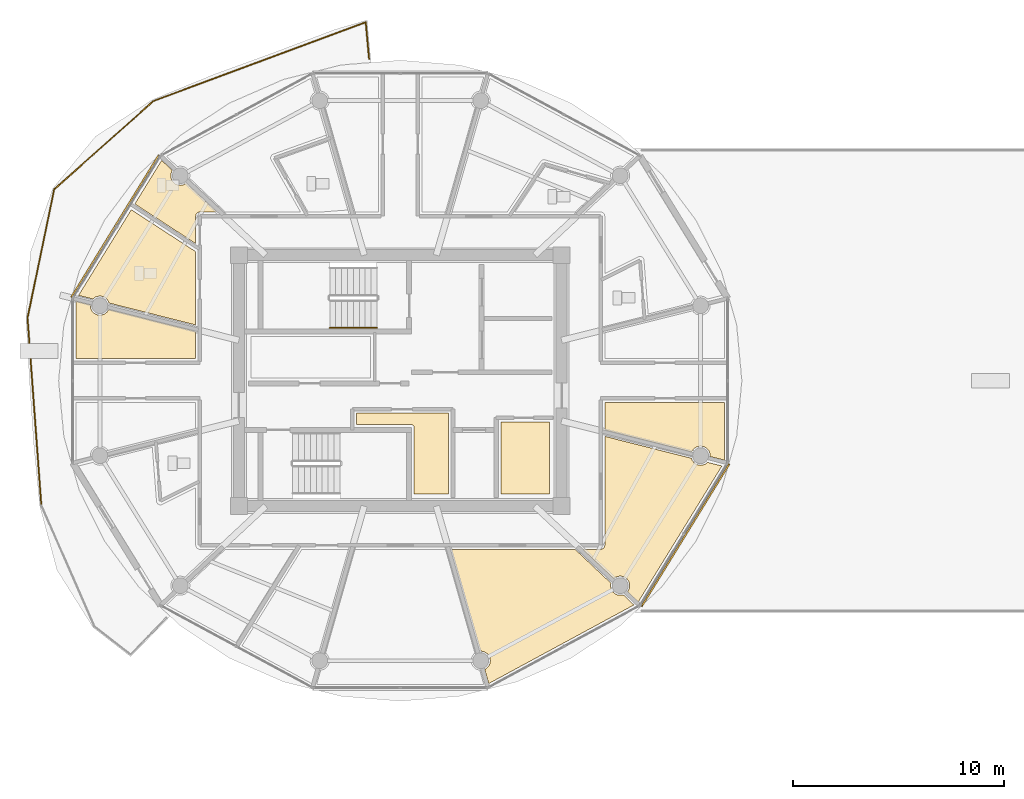
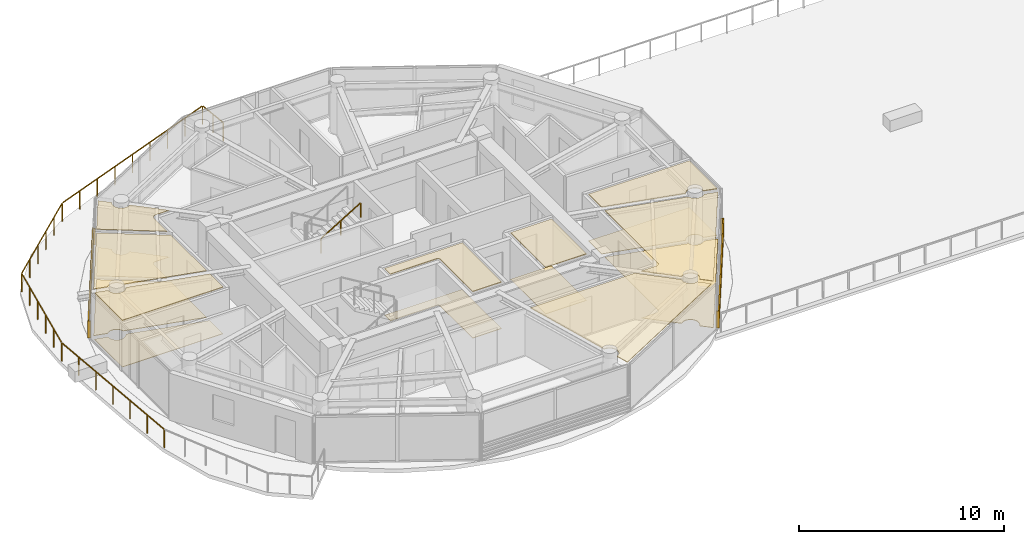
# One storey, part 22 of 30: 15 coverings, 2 railings, 2 shading devices.
"""IFC4 building model written with IfcOpenShell, lengths in metres."""

from ifc_helpers import new_model, si_unit, direction, frame, origin, origin_2d, place, context, subcontext, project, spatial, polyline, rectangle, outline, extrude, source, transform, mapped, material, layer, layer_set, type_object, type_shapes, element, save


model = new_model("IFC4")

# Units and contexts
model_context = context("Model", 3, precision=1e-05, world=origin(), true_north=direction((0.0, 1.0)))
body_context = subcontext(model_context, "Body", "Model", "MODEL_VIEW")
ifc_project = project(units=[si_unit("LENGTHUNIT", "METRE"), si_unit("AREAUNIT", "SQUARE_METRE"), si_unit("VOLUMEUNIT", "CUBIC_METRE"), si_unit("PLANEANGLEUNIT", "RADIAN"), si_unit("MASSUNIT", "GRAM", prefix="KILO")], contexts=[model_context])

# Site, building, storey
site_placement = place(None, origin())
site = spatial("IfcSite", under=ifc_project, at=site_placement, CompositionType="ELEMENT")
building_placement = place(site_placement, origin())
building = spatial("IfcBuilding", under=site, at=building_placement, Name="Norrkilde Senior Care Towers", CompositionType="ELEMENT")
storey_placement = place(building_placement, frame((0.0, 0.0, 232.199951171875)))
storey = spatial("IfcBuildingStorey", under=building, at=storey_placement, Name="L72", CompositionType="ELEMENT", Elevation=232.199951171875)

# Coverings
ifc_material_1 = material(Name="Nordic Ash Timber", Category="wood")
ifc_layer_1 = layer(ifc_material_1, 0.044921875)
ifc_layer_set_1 = layer_set([ifc_layer_1], Name="Nordic Ash Timber")
covering_type_1 = type_object("IfcCoveringType", Name="Acoustic Ash Timber Slatted Ceiling 45", PredefinedType="CEILING", material=ifc_layer_set_1)
covering_1_placement = place(storey_placement, frame((0.0, 0.0, 2.76513671875)))
element("IfcCovering", 1, at=covering_1_placement, inside=storey, type_object=covering_type_1, Name="L72 Suspended Ceiling 0422", PredefinedType="CEILING", context=body_context, shape_type="SweptSolid", body=[
    extrude(outline(polyline([(-27.34521484375, -2.175048828125), (-27.34912109375, -2.1640625), (-27.354248046875, -2.1533203125), (-27.360107421875, -2.143310546875), (-27.3671875, -2.1337890625), (-27.375244140625, -2.125244140625), (-27.3837890625, -2.1171875), (-27.393310546875, -2.110107421875), (-27.4033203125, -2.104248046875), (-27.4140625, -2.09912109375), (-27.425048828125, -2.09521484375), (-27.4365234375, -2.09228515625), (-27.4482421875, -2.090576171875), (-27.4599609375, -2.090087890625), (-30.080078125, -2.090087890625), (-30.080078125, -1.5400390625), (-25.7099609375, -1.5400390625), (-25.7099609375, -5.3798828125), (-27.340087890625, -5.3798828125), (-27.340087890625, -2.2099609375), (-27.340576171875, -2.1982421875), (-27.34228515625, -2.1865234375), (-27.34521484375, -2.175048828125)])), origin(), (0.0, 0.0, 1.0), 0.044921875),
])
covering_2_placement = place(storey_placement, frame((0.0, 0.0, 2.76513671875)))
element("IfcCovering", 2, at=covering_2_placement, inside=storey, type_object=covering_type_1, Name="L72 Suspended Ceiling 0423", PredefinedType="CEILING", context=body_context, shape_type="SweptSolid", body=[
    extrude(outline(polyline([(-23.22998046875, -5.3798828125), (-23.22998046875, -1.969970703125), (-20.919921875, -1.969970703125), (-20.919921875, -5.3798828125), (-23.22998046875, -5.3798828125)])), origin(), (0.0, 0.0, 1.0), 0.044921875),
])
covering_3_placement = place(storey_placement, frame((0.0, 0.0, 2.76513671875)))
element("IfcCovering", 3, at=covering_3_placement, inside=storey, type_object=covering_type_1, Name="L72 Suspended Ceiling 0425", PredefinedType="CEILING", context=body_context, shape_type="SweptSolid", body=[
    extrude(outline(polyline([(-37.699951171875, 1.0400390625), (-43.37353515625, 1.0400390625), (-43.37353515625, 3.76708984375), (-42.697509765625, 3.59619140625), (-42.702392578125, 3.558837890625), (-42.68701171875, 3.44091796875), (-42.641357421875, 3.331298828125), (-42.569091796875, 3.237060546875), (-42.474853515625, 3.164794921875), (-42.365234375, 3.119384765625), (-42.247314453125, 3.103759765625), (-42.129638671875, 3.119384765625), (-42.02001953125, 3.164794921875), (-41.92578125, 3.237060546875), (-41.853271484375, 3.331298828125), (-41.834228515625, 3.377685546875), (-37.699951171875, 2.331298828125), (-37.699951171875, 1.0400390625)])), origin(), (0.0, 0.0, 1.0), 0.044921875),
])
covering_4_placement = place(storey_placement, frame((0.0, 0.0, 2.76513671875)))
element("IfcCovering", 4, at=covering_4_placement, inside=storey, type_object=covering_type_1, Name="L72 Suspended Ceiling 0428", PredefinedType="CEILING", context=body_context, shape_type="SweptSolid", body=[
    extrude(outline(polyline([(-12.62646484375, -3.76708984375), (-13.302490234375, -3.59619140625), (-13.297607421875, -3.558837890625), (-13.31298828125, -3.44091796875), (-13.358642578125, -3.331298828125), (-13.430908203125, -3.237060546875), (-13.525146484375, -3.164794921875), (-13.634765625, -3.119384765625), (-13.752685546875, -3.103759765625), (-13.870361328125, -3.119384765625), (-13.97998046875, -3.164794921875), (-14.07421875, -3.237060546875), (-14.146728515625, -3.331298828125), (-14.165771484375, -3.377685546875), (-18.300048828125, -2.331298828125), (-18.300048828125, -1.0400390625), (-12.62646484375, -1.0400390625), (-12.62646484375, -3.76708984375)])), origin(), (0.0, 0.0, 1.0), 0.044921875),
])
covering_5_placement = place(storey_placement, frame((0.0, 0.0, 2.76513671875)))
element("IfcCovering", 5, at=covering_5_placement, inside=storey, type_object=covering_type_1, Name="L72 Suspended Ceiling 0441", PredefinedType="CEILING", context=body_context, shape_type="SweptSolid", body=[
    extrude(outline(polyline([(-23.80029296875, -14.364990234375), (-23.991455078125, -13.690673828125), (-23.954833984375, -13.675537109375), (-23.860595703125, -13.603271484375), (-23.788330078125, -13.509033203125), (-23.742919921875, -13.399169921875), (-23.7275390625, -13.281494140625), (-23.742919921875, -13.163818359375), (-23.788330078125, -13.053955078125), (-23.860595703125, -12.959716796875), (-23.954833984375, -12.887451171875), (-24.064697265625, -12.842041015625), (-24.182373046875, -12.826416015625), (-24.23486328125, -12.833251953125), (-25.60595703125, -8.0), (-19.705322265625, -8.0), (-18.0087890625, -9.6025390625), (-18.009765625, -9.60498046875), (-18.025146484375, -9.72265625), (-18.009765625, -9.840576171875), (-17.964111328125, -9.9501953125), (-17.891845703125, -10.04443359375), (-17.797607421875, -10.11669921875), (-17.68798828125, -10.162109375), (-17.570068359375, -10.177734375), (-17.452392578125, -10.162109375), (-17.42724609375, -10.15185546875), (-16.91357421875, -10.636962890625), (-23.80029296875, -14.364990234375)])), origin(), (0.0, 0.0, 1.0), 0.044921875),
])
covering_6_placement = place(storey_placement, frame((0.0, 0.0, 2.76513671875)))
element("IfcCovering", 6, at=covering_6_placement, inside=storey, type_object=covering_type_1, Name="L72 Suspended Ceiling 0442", PredefinedType="CEILING", context=body_context, shape_type="SweptSolid", body=[
    extrude(outline(polyline([(-18.447509765625, -7.992919921875), (-18.436279296875, -7.989501953125), (-18.428955078125, -7.98681640625), (-18.41796875, -7.982421875), (-18.410888671875, -7.97900390625), (-18.400634765625, -7.973388671875), (-18.393798828125, -7.969482421875), (-18.384033203125, -7.962890625), (-18.377685546875, -7.958251953125), (-18.36865234375, -7.95068359375), (-18.36279296875, -7.945556640625), (-18.3544921875, -7.937255859375), (-18.34912109375, -7.931396484375), (-18.341796875, -7.92236328125), (-18.337158203125, -7.916015625), (-18.33056640625, -7.90625), (-18.326416015625, -7.8994140625), (-18.321044921875, -7.888916015625), (-18.317626953125, -7.8818359375), (-18.31298828125, -7.87109375), (-18.310546875, -7.86376953125), (-18.30712890625, -7.852294921875), (-18.30517578125, -7.8447265625), (-18.302734375, -7.833251953125), (-18.3017578125, -7.825439453125), (-18.300537109375, -7.813720703125), (-18.300048828125, -7.805908203125), (-18.300048828125, -7.800048828125), (-18.300048828125, -2.640625), (-14.190185546875, -3.680908203125), (-14.146728515625, -3.786376953125), (-14.07421875, -3.880615234375), (-13.97998046875, -3.952880859375), (-13.870361328125, -3.998291015625), (-13.752685546875, -4.013671875), (-13.634765625, -3.998291015625), (-13.525146484375, -3.952880859375), (-13.430908203125, -3.880615234375), (-13.426025390625, -3.874267578125), (-12.74267578125, -4.04736328125), (-16.71337890625, -10.495849609375), (-17.224365234375, -10.01318359375), (-17.176025390625, -9.9501953125), (-17.130615234375, -9.840576171875), (-17.115234375, -9.72265625), (-17.130615234375, -9.60498046875), (-17.176025390625, -9.4951171875), (-17.24853515625, -9.40087890625), (-17.3427734375, -9.32861328125), (-17.452392578125, -9.283203125), (-17.570068359375, -9.267822265625), (-17.68798828125, -9.283203125), (-17.797607421875, -9.32861328125), (-17.88134765625, -9.392822265625), (-19.355712890625, -8.0), (-18.5, -8.0), (-18.494140625, -7.999755859375), (-18.486328125, -7.99951171875), (-18.474609375, -7.998291015625), (-18.466796875, -7.9970703125), (-18.455322265625, -7.994873046875), (-18.447509765625, -7.992919921875)])), origin(), (0.0, 0.0, 1.0), 0.044921875),
])
ifc_material_2 = material(Name="Gypsum Acoustic Board")
ifc_layer_2 = layer(ifc_material_2, 0.030029296875)
ifc_layer_set_2 = layer_set([ifc_layer_2], Name="Gypsum Acoustic Board")
covering_type_2 = type_object("IfcCoveringType", Name="Medical Cleanable Gypsum Ceiling 30", PredefinedType="CEILING", material=ifc_layer_set_2)
covering_7_placement = place(storey_placement, frame((0.0, 0.0, 2.780029296875)))
element("IfcCovering", 7, at=covering_7_placement, inside=storey, type_object=covering_type_2, Name="L72 Suspended Ceiling 0435", PredefinedType="CEILING", context=body_context, shape_type="SweptSolid", body=[
    extrude(outline(polyline([(-37.525390625, 7.998291015625), (-37.533203125, 7.9970703125), (-37.544677734375, 7.994873046875), (-37.552490234375, 7.992919921875), (-37.563720703125, 7.989501953125), (-37.571044921875, 7.98681640625), (-37.58203125, 7.982421875), (-37.589111328125, 7.97900390625), (-37.599365234375, 7.973388671875), (-37.606201171875, 7.969482421875), (-37.615966796875, 7.962890625), (-37.622314453125, 7.958251953125), (-37.63134765625, 7.95068359375), (-37.63720703125, 7.945556640625), (-37.6455078125, 7.937255859375), (-37.65087890625, 7.931396484375), (-37.658203125, 7.92236328125), (-37.662841796875, 7.916015625), (-37.66943359375, 7.90625), (-37.673583984375, 7.8994140625), (-37.678955078125, 7.888916015625), (-37.682373046875, 7.8818359375), (-37.68701171875, 7.87109375), (-37.689453125, 7.86376953125), (-37.69287109375, 7.852294921875), (-37.69482421875, 7.8447265625), (-37.697265625, 7.833251953125), (-37.6982421875, 7.825439453125), (-37.699462890625, 7.813720703125), (-37.699951171875, 7.805908203125), (-37.699951171875, 7.800048828125), (-37.699951171875, 6.499755859375), (-40.5888671875, 8.380859375), (-39.31591796875, 10.448486328125), (-38.807373046875, 9.9716796875), (-38.823974609375, 9.9501953125), (-38.869384765625, 9.840576171875), (-38.884765625, 9.72265625), (-38.869384765625, 9.60498046875), (-38.823974609375, 9.4951171875), (-38.75146484375, 9.40087890625), (-38.6572265625, 9.32861328125), (-38.547607421875, 9.283203125), (-38.429931640625, 9.267822265625), (-38.31201171875, 9.283203125), (-38.202392578125, 9.32861328125), (-38.158203125, 9.362548828125), (-36.705322265625, 8.0), (-37.5, 8.0), (-37.505859375, 7.999755859375), (-37.513671875, 7.99951171875), (-37.525390625, 7.998291015625)])), origin(), (0.0, 0.0, 1.0), 0.030029296875),
])
covering_8_placement = place(storey_placement, frame((0.0, 0.0, 2.780029296875)))
element("IfcCovering", 8, at=covering_8_placement, inside=storey, type_object=covering_type_2, Name="L72 Suspended Ceiling 0436", PredefinedType="CEILING", context=body_context, shape_type="SweptSolid", body=[
    extrude(outline(polyline([(-40.7568359375, 8.108154296875), (-37.699951171875, 6.117919921875), (-37.699951171875, 2.640625), (-41.809814453125, 3.680908203125), (-41.853271484375, 3.786376953125), (-41.92578125, 3.880615234375), (-42.02001953125, 3.952880859375), (-42.129638671875, 3.998291015625), (-42.247314453125, 4.013671875), (-42.365234375, 3.998291015625), (-42.474853515625, 3.952880859375), (-42.569091796875, 3.880615234375), (-42.573974609375, 3.874267578125), (-43.25732421875, 4.04736328125), (-40.7568359375, 8.108154296875)])), origin(), (0.0, 0.0, 1.0), 0.030029296875),
])
ifc_material_3 = material(Name="Slip-Resistant Porcelain Stone", Category="masonry")
ifc_layer_3 = layer(ifc_material_3, 0.02490234375)
ifc_layer_set_3 = layer_set([ifc_layer_3], Name="Slip-Resistant Porcelain Stone")
covering_type_3 = type_object("IfcCoveringType", Name="Slip-Resistant Porcelain Flooring 25", PredefinedType="FLOORING", material=ifc_layer_set_3)
covering_9_placement = place(storey_placement, origin())
element("IfcCovering", 9, at=covering_9_placement, inside=storey, type_object=covering_type_3, Name="L72 Floor Finish 0422", PredefinedType="FLOORING", context=body_context, shape_type="SweptSolid", body=[
    extrude(outline(polyline([(-27.34521484375, -2.175048828125), (-27.34912109375, -2.1640625), (-27.354248046875, -2.1533203125), (-27.360107421875, -2.143310546875), (-27.3671875, -2.1337890625), (-27.375244140625, -2.125244140625), (-27.3837890625, -2.1171875), (-27.393310546875, -2.110107421875), (-27.4033203125, -2.104248046875), (-27.4140625, -2.09912109375), (-27.425048828125, -2.09521484375), (-27.4365234375, -2.09228515625), (-27.4482421875, -2.090576171875), (-27.4599609375, -2.090087890625), (-30.080078125, -2.090087890625), (-30.080078125, -1.5400390625), (-25.7099609375, -1.5400390625), (-25.7099609375, -5.3798828125), (-27.340087890625, -5.3798828125), (-27.340087890625, -2.2099609375), (-27.340576171875, -2.1982421875), (-27.34228515625, -2.1865234375), (-27.34521484375, -2.175048828125)])), origin(), (0.0, 0.0, 1.0), 0.025146484375),
])
covering_10_placement = place(storey_placement, origin())
element("IfcCovering", 10, at=covering_10_placement, inside=storey, type_object=covering_type_3, Name="L72 Floor Finish 0423", PredefinedType="FLOORING", context=body_context, shape_type="SweptSolid", body=[
    extrude(outline(polyline([(-23.22998046875, -5.3798828125), (-23.22998046875, -1.969970703125), (-20.919921875, -1.969970703125), (-20.919921875, -5.3798828125), (-23.22998046875, -5.3798828125)])), origin(), (0.0, 0.0, 1.0), 0.025146484375),
])
covering_11_placement = place(storey_placement, origin())
element("IfcCovering", 11, at=covering_11_placement, inside=storey, type_object=covering_type_3, Name="L72 Floor Finish 0425", PredefinedType="FLOORING", context=body_context, shape_type="SweptSolid", body=[
    extrude(outline(polyline([(-37.699951171875, 1.0400390625), (-43.37353515625, 1.0400390625), (-43.37353515625, 3.76708984375), (-42.697509765625, 3.59619140625), (-42.702392578125, 3.558837890625), (-42.68701171875, 3.44091796875), (-42.641357421875, 3.331298828125), (-42.569091796875, 3.237060546875), (-42.474853515625, 3.164794921875), (-42.365234375, 3.119384765625), (-42.247314453125, 3.103759765625), (-42.129638671875, 3.119384765625), (-42.02001953125, 3.164794921875), (-41.92578125, 3.237060546875), (-41.853271484375, 3.331298828125), (-41.834228515625, 3.377685546875), (-37.699951171875, 2.331298828125), (-37.699951171875, 1.0400390625)])), origin(), (0.0, 0.0, 1.0), 0.025146484375),
])
covering_12_placement = place(storey_placement, origin())
element("IfcCovering", 12, at=covering_12_placement, inside=storey, type_object=covering_type_3, Name="L72 Floor Finish 0428", PredefinedType="FLOORING", context=body_context, shape_type="SweptSolid", body=[
    extrude(outline(polyline([(-12.62646484375, -3.76708984375), (-13.302490234375, -3.59619140625), (-13.297607421875, -3.558837890625), (-13.31298828125, -3.44091796875), (-13.358642578125, -3.331298828125), (-13.430908203125, -3.237060546875), (-13.525146484375, -3.164794921875), (-13.634765625, -3.119384765625), (-13.752685546875, -3.103759765625), (-13.870361328125, -3.119384765625), (-13.97998046875, -3.164794921875), (-14.07421875, -3.237060546875), (-14.146728515625, -3.331298828125), (-14.165771484375, -3.377685546875), (-18.300048828125, -2.331298828125), (-18.300048828125, -1.0400390625), (-12.62646484375, -1.0400390625), (-12.62646484375, -3.76708984375)])), origin(), (0.0, 0.0, 1.0), 0.025146484375),
])
covering_13_placement = place(storey_placement, origin())
element("IfcCovering", 13, at=covering_13_placement, inside=storey, type_object=covering_type_3, Name="L72 Floor Finish 0435", PredefinedType="FLOORING", context=body_context, shape_type="SweptSolid", body=[
    extrude(outline(polyline([(-37.525390625, 7.998291015625), (-37.533203125, 7.9970703125), (-37.544677734375, 7.994873046875), (-37.552490234375, 7.992919921875), (-37.563720703125, 7.989501953125), (-37.571044921875, 7.98681640625), (-37.58203125, 7.982421875), (-37.589111328125, 7.97900390625), (-37.599365234375, 7.973388671875), (-37.606201171875, 7.969482421875), (-37.615966796875, 7.962890625), (-37.622314453125, 7.958251953125), (-37.63134765625, 7.95068359375), (-37.63720703125, 7.945556640625), (-37.6455078125, 7.937255859375), (-37.65087890625, 7.931396484375), (-37.658203125, 7.92236328125), (-37.662841796875, 7.916015625), (-37.66943359375, 7.90625), (-37.673583984375, 7.8994140625), (-37.678955078125, 7.888916015625), (-37.682373046875, 7.8818359375), (-37.68701171875, 7.87109375), (-37.689453125, 7.86376953125), (-37.69287109375, 7.852294921875), (-37.69482421875, 7.8447265625), (-37.697265625, 7.833251953125), (-37.6982421875, 7.825439453125), (-37.699462890625, 7.813720703125), (-37.699951171875, 7.805908203125), (-37.699951171875, 7.800048828125), (-37.699951171875, 6.499755859375), (-40.5888671875, 8.380859375), (-39.31591796875, 10.448486328125), (-38.807373046875, 9.9716796875), (-38.823974609375, 9.9501953125), (-38.869384765625, 9.840576171875), (-38.884765625, 9.72265625), (-38.869384765625, 9.60498046875), (-38.823974609375, 9.4951171875), (-38.75146484375, 9.40087890625), (-38.6572265625, 9.32861328125), (-38.547607421875, 9.283203125), (-38.429931640625, 9.267822265625), (-38.31201171875, 9.283203125), (-38.202392578125, 9.32861328125), (-38.158203125, 9.362548828125), (-36.705322265625, 8.0), (-37.5, 8.0), (-37.505859375, 7.999755859375), (-37.513671875, 7.99951171875), (-37.525390625, 7.998291015625)])), origin(), (0.0, 0.0, 1.0), 0.025146484375),
])
covering_14_placement = place(storey_placement, origin())
element("IfcCovering", 14, at=covering_14_placement, inside=storey, type_object=covering_type_3, Name="L72 Floor Finish 0436", PredefinedType="FLOORING", context=body_context, shape_type="SweptSolid", body=[
    extrude(outline(polyline([(-40.7568359375, 8.108154296875), (-37.699951171875, 6.117919921875), (-37.699951171875, 2.640625), (-41.809814453125, 3.680908203125), (-41.853271484375, 3.786376953125), (-41.92578125, 3.880615234375), (-42.02001953125, 3.952880859375), (-42.129638671875, 3.998291015625), (-42.247314453125, 4.013671875), (-42.365234375, 3.998291015625), (-42.474853515625, 3.952880859375), (-42.569091796875, 3.880615234375), (-42.573974609375, 3.874267578125), (-43.25732421875, 4.04736328125), (-40.7568359375, 8.108154296875)])), origin(), (0.0, 0.0, 1.0), 0.025146484375),
])
covering_15_placement = place(storey_placement, origin())
element("IfcCovering", 15, at=covering_15_placement, inside=storey, type_object=covering_type_3, Name="L72 Floor Finish 0442", PredefinedType="FLOORING", context=body_context, shape_type="SweptSolid", body=[
    extrude(outline(polyline([(-18.447509765625, -7.992919921875), (-18.436279296875, -7.989501953125), (-18.428955078125, -7.98681640625), (-18.41796875, -7.982421875), (-18.410888671875, -7.97900390625), (-18.400634765625, -7.973388671875), (-18.393798828125, -7.969482421875), (-18.384033203125, -7.962890625), (-18.377685546875, -7.958251953125), (-18.36865234375, -7.95068359375), (-18.36279296875, -7.945556640625), (-18.3544921875, -7.937255859375), (-18.34912109375, -7.931396484375), (-18.341796875, -7.92236328125), (-18.337158203125, -7.916015625), (-18.33056640625, -7.90625), (-18.326416015625, -7.8994140625), (-18.321044921875, -7.888916015625), (-18.317626953125, -7.8818359375), (-18.31298828125, -7.87109375), (-18.310546875, -7.86376953125), (-18.30712890625, -7.852294921875), (-18.30517578125, -7.8447265625), (-18.302734375, -7.833251953125), (-18.3017578125, -7.825439453125), (-18.300537109375, -7.813720703125), (-18.300048828125, -7.805908203125), (-18.300048828125, -7.800048828125), (-18.300048828125, -2.640625), (-14.190185546875, -3.680908203125), (-14.146728515625, -3.786376953125), (-14.07421875, -3.880615234375), (-13.97998046875, -3.952880859375), (-13.870361328125, -3.998291015625), (-13.752685546875, -4.013671875), (-13.634765625, -3.998291015625), (-13.525146484375, -3.952880859375), (-13.430908203125, -3.880615234375), (-13.426025390625, -3.874267578125), (-12.74267578125, -4.04736328125), (-16.71337890625, -10.495849609375), (-17.224365234375, -10.01318359375), (-17.176025390625, -9.9501953125), (-17.130615234375, -9.840576171875), (-17.115234375, -9.72265625), (-17.130615234375, -9.60498046875), (-17.176025390625, -9.4951171875), (-17.24853515625, -9.40087890625), (-17.3427734375, -9.32861328125), (-17.452392578125, -9.283203125), (-17.570068359375, -9.267822265625), (-17.68798828125, -9.283203125), (-17.797607421875, -9.32861328125), (-17.88134765625, -9.392822265625), (-19.355712890625, -8.0), (-18.5, -8.0), (-18.494140625, -7.999755859375), (-18.486328125, -7.99951171875), (-18.474609375, -7.998291015625), (-18.466796875, -7.9970703125), (-18.455322265625, -7.994873046875), (-18.447509765625, -7.992919921875)])), origin(), (0.0, 0.0, 1.0), 0.025146484375),
])

# Railings
ifc_material_4 = material(Name="Stainless Steel", Category="steel")
railing_type_1 = type_object("IfcRailingType", Name="Stair and Terrace Guardrail 1100", PredefinedType="GUARDRAIL", material=ifc_material_4)
railing_1_placement = place(storey_placement, frame((-45.024658203125, -5.913818359375, 0.0)))
element("IfcRailing", 16, at=railing_1_placement, inside=storey, type_object=railing_type_1, Name="L72 Perimeter Safety Guard 05", PredefinedType="GUARDRAIL", context=body_context, shape_type="SweptSolid", body=[
    extrude(rectangle(XDim=0.048095703125, YDim=0.048095703125, at=origin_2d()), frame((0.0, 0.0, 1.09619140625), z_axis=(-0.073142387397, 0.997321508424, 0.0), x_axis=(-0.997321508424, -0.073142387397, 0.0)), (0.0, 0.0, 1.0), 8.87451171875),
    extrude(rectangle(XDim=0.048095703125, YDim=0.048095703125, at=origin_2d()), frame((-0.643798828125, 8.931640625, 1.09619140625), z_axis=(0.202879339827, 0.979203744617, 0.0), x_axis=(-0.979203744617, 0.202879339827, 0.0)), (0.0, 0.0, 1.0), 6.140869140625),
    extrude(rectangle(XDim=0.048095703125, YDim=0.048095703125, at=origin_2d()), frame((0.640869140625, 15.011962890625, 1.09619140625), z_axis=(0.74675077695, 0.665103959636, 0.0), x_axis=(-0.665103959636, 0.74675077695, 0.0)), (0.0, 0.0, 1.0), 6.2216796875),
    extrude(rectangle(XDim=0.048095703125, YDim=0.048095703125, at=origin_2d()), frame((5.355712890625, 19.19140625, 1.09619140625), z_axis=(0.937456427594, 0.348102637683, 0.0), x_axis=(-0.348102637683, 0.937456427594, 0.0)), (0.0, 0.0, 1.0), 10.659423828125),
    extrude(rectangle(XDim=0.048095703125, YDim=0.048095703125, at=origin_2d()), frame((15.390380859375, 22.87548828125, 1.09619140625), z_axis=(0.091214794378, -0.995831241369, 0.0), x_axis=(0.995831241369, 0.091214794378, 0.0)), (0.0, 0.0, 1.0), 1.70947265625),
    extrude(rectangle(XDim=0.0419921875, YDim=0.0419921875, at=origin_2d()), origin(), (0.0, 0.0, 1.0), 1.070068359375),
    extrude(rectangle(XDim=0.0419921875, YDim=0.0419921875, at=origin_2d()), frame((-0.108642578125, 1.48193359375, 0.0)), (0.0, 0.0, 1.0), 1.070068359375),
    extrude(rectangle(XDim=0.0419921875, YDim=0.0419921875, at=origin_2d()), frame((-0.21728515625, 2.9638671875, 0.0)), (0.0, 0.0, 1.0), 1.070068359375),
    extrude(rectangle(XDim=0.0419921875, YDim=0.0419921875, at=origin_2d()), frame((-0.326171875, 4.44580078125, 0.0)), (0.0, 0.0, 1.0), 1.070068359375),
    extrude(rectangle(XDim=0.0419921875, YDim=0.0419921875, at=origin_2d()), frame((-0.434814453125, 5.927734375, 0.0)), (0.0, 0.0, 1.0), 1.070068359375),
    extrude(rectangle(XDim=0.0419921875, YDim=0.0419921875, at=origin_2d()), frame((-0.54345703125, 7.40966796875, 0.0)), (0.0, 0.0, 1.0), 1.070068359375),
    extrude(rectangle(XDim=0.0419921875, YDim=0.0419921875, at=origin_2d()), frame((-0.652099609375, 8.8916015625, 0.0)), (0.0, 0.0, 1.0), 1.070068359375),
    extrude(rectangle(XDim=0.0419921875, YDim=0.0419921875, at=origin_2d()), frame((-0.399658203125, 10.1103515625, 0.0)), (0.0, 0.0, 1.0), 1.070068359375),
    extrude(rectangle(XDim=0.0419921875, YDim=0.0419921875, at=origin_2d()), frame((-0.147216796875, 11.328857421875, 0.0)), (0.0, 0.0, 1.0), 1.070068359375),
    extrude(rectangle(XDim=0.0419921875, YDim=0.0419921875, at=origin_2d()), frame((0.10546875, 12.547607421875, 0.0)), (0.0, 0.0, 1.0), 1.070068359375),
    extrude(rectangle(XDim=0.0419921875, YDim=0.0419921875, at=origin_2d()), frame((0.35791015625, 13.76611328125, 0.0)), (0.0, 0.0, 1.0), 1.070068359375),
    extrude(rectangle(XDim=0.0419921875, YDim=0.0419921875, at=origin_2d()), frame((0.6103515625, 14.98486328125, 0.0)), (0.0, 0.0, 1.0), 1.070068359375),
    extrude(rectangle(XDim=0.0419921875, YDim=0.0419921875, at=origin_2d()), frame((1.5517578125, 15.8232421875, 0.0)), (0.0, 0.0, 1.0), 1.070068359375),
    extrude(rectangle(XDim=0.0419921875, YDim=0.0419921875, at=origin_2d()), frame((2.4931640625, 16.661865234375, 0.0)), (0.0, 0.0, 1.0), 1.070068359375),
    extrude(rectangle(XDim=0.0419921875, YDim=0.0419921875, at=origin_2d()), frame((3.4345703125, 17.500244140625, 0.0)), (0.0, 0.0, 1.0), 1.070068359375),
    extrude(rectangle(XDim=0.0419921875, YDim=0.0419921875, at=origin_2d()), frame((4.3759765625, 18.3388671875, 0.0)), (0.0, 0.0, 1.0), 1.070068359375),
    extrude(rectangle(XDim=0.0419921875, YDim=0.0419921875, at=origin_2d()), frame((5.3173828125, 19.17724609375, 0.0)), (0.0, 0.0, 1.0), 1.070068359375),
    extrude(rectangle(XDim=0.0419921875, YDim=0.0419921875, at=origin_2d()), frame((6.576171875, 19.64453125, 0.0)), (0.0, 0.0, 1.0), 1.070068359375),
    extrude(rectangle(XDim=0.0419921875, YDim=0.0419921875, at=origin_2d()), frame((7.834716796875, 20.112060546875, 0.0)), (0.0, 0.0, 1.0), 1.070068359375),
    extrude(rectangle(XDim=0.0419921875, YDim=0.0419921875, at=origin_2d()), frame((9.09326171875, 20.579345703125, 0.0)), (0.0, 0.0, 1.0), 1.070068359375),
    extrude(rectangle(XDim=0.0419921875, YDim=0.0419921875, at=origin_2d()), frame((10.35205078125, 21.046875, 0.0)), (0.0, 0.0, 1.0), 1.070068359375),
    extrude(rectangle(XDim=0.0419921875, YDim=0.0419921875, at=origin_2d()), frame((11.61083984375, 21.51416015625, 0.0)), (0.0, 0.0, 1.0), 1.070068359375),
    extrude(rectangle(XDim=0.0419921875, YDim=0.0419921875, at=origin_2d()), frame((12.869384765625, 21.9814453125, 0.0)), (0.0, 0.0, 1.0), 1.070068359375),
    extrude(rectangle(XDim=0.0419921875, YDim=0.0419921875, at=origin_2d()), frame((14.1279296875, 22.448974609375, 0.0)), (0.0, 0.0, 1.0), 1.070068359375),
    extrude(rectangle(XDim=0.0419921875, YDim=0.0419921875, at=origin_2d()), frame((15.38671875, 22.916259765625, 0.0)), (0.0, 0.0, 1.0), 1.070068359375),
    extrude(rectangle(XDim=0.0419921875, YDim=0.0419921875, at=origin_2d()), frame((15.466552734375, 22.044677734375, 0.0)), (0.0, 0.0, 1.0), 1.070068359375),
    extrude(rectangle(XDim=0.0419921875, YDim=0.0419921875, at=origin_2d()), frame((15.54638671875, 21.173095703125, 0.0)), (0.0, 0.0, 1.0), 1.070068359375),
])
railing_type_2 = type_object("IfcRailingType", Name="Wall and Stair Handrail 900", PredefinedType="HANDRAIL", material=ifc_material_1)
railing_2_placement = place(storey_placement, frame((-31.340087890625, 2.5, 1.694580078125)))
element("IfcRailing", 17, at=railing_2_placement, inside=storey, type_object=railing_type_2, Name="L72 ST-W1 stair handrail 2", PredefinedType="HANDRAIL", context=body_context, shape_type="SweptSolid", body=[
    extrude(rectangle(XDim=0.048095703125, YDim=0.048095703125, at=origin_2d()), frame((0.0, 0.0, 0.8759765625), z_axis=(0.855553338991, 0.0, 0.51771467445), x_axis=(0.0, 1.0, 0.0)), (0.0, 0.0, 1.0), 2.6181640625),
    extrude(rectangle(XDim=0.0419921875, YDim=0.0419921875, at=origin_2d()), origin(), (0.0, 0.0, 1.0), 0.849853515625),
    extrude(rectangle(XDim=0.0419921875, YDim=0.0419921875, at=origin_2d()), frame((1.1201171875, 0.0, 0.677734375)), (0.0, 0.0, 1.0), 0.849853515625),
    extrude(rectangle(XDim=0.0419921875, YDim=0.0419921875, at=origin_2d()), frame((2.239990234375, 0.0, 1.35546875)), (0.0, 0.0, 1.0), 0.849853515625),
])

# Shading devices
ifc_material_5 = material(Name="Architectural Terracotta", Category="masonry")
shading_device_type = type_object("IfcShadingDeviceType", Name="Horizontal Terracotta Baguette Rack", PredefinedType="USERDEFINED", material=ifc_material_5)
shared_shape = source(origin(), body_context, "Body", "SweptSolid", [
    extrude(rectangle(XDim=0.070068359375, YDim=0.110107421875, at=origin_2d()), frame((0.0, 0.090087890625, 0.125), z_axis=(1.0, 0.0, 0.0), x_axis=(0.0, 1.0, 0.0)), (0.0, 0.0, 1.0), 7.938232421875),
    extrude(rectangle(XDim=0.070068359375, YDim=0.110107421875, at=origin_2d()), frame((0.0, 0.090087890625, 0.375), z_axis=(1.0, 0.0, 0.0), x_axis=(0.0, 1.0, 0.0)), (0.0, 0.0, 1.0), 7.938232421875),
    extrude(rectangle(XDim=0.070068359375, YDim=0.110107421875, at=origin_2d()), frame((0.0, 0.090087890625, 0.625), z_axis=(1.0, 0.0, 0.0), x_axis=(0.0, 1.0, 0.0)), (0.0, 0.0, 1.0), 7.938232421875),
    extrude(rectangle(XDim=0.070068359375, YDim=0.110107421875, at=origin_2d()), frame((0.0, 0.090087890625, 0.875), z_axis=(1.0, 0.0, 0.0), x_axis=(0.0, 1.0, 0.0)), (0.0, 0.0, 1.0), 7.938232421875),
    extrude(rectangle(XDim=0.050048828125, YDim=0.1552734375, at=origin_2d()), frame((0.02490234375, 0.047607421875, 0.0)), (0.0, 0.0, 1.0), 1.0),
    extrude(rectangle(XDim=0.050048828125, YDim=0.1552734375, at=origin_2d()), frame((7.9130859375, 0.047607421875, 0.0)), (0.0, 0.0, 1.0), 1.0),
])
type_shapes(shading_device_type, [shared_shape])
for number, where, z_axis, x_axis, name in (
    (18, (-43.531982421875, 3.903076171875, 0.080078125), (0.0, 0.0, 1.0), (0.524250345994, 0.851576195602, 0.0), "L72 Drum W Terracotta Baguette Screen 04"),
    (19, (-12.468017578125, -3.903076171875, 0.080078125), (0.0, 0.0, 1.0), (-0.524250345994, -0.851576195602, 0.0), "L72 Drum W Terracotta Baguette Screen 10"),
):
    element("IfcShadingDevice", number, at=place(storey_placement, frame(where, z_axis=z_axis, x_axis=x_axis)), inside=storey, type_object=shading_device_type, Name=name, ObjectType="BAGUETTE", PredefinedType="USERDEFINED", context=body_context, shape_type="MappedRepresentation", body=[
        mapped(shared_shape, transform((0.0, 0.0, 0.0), x_axis=(1.0, 0.0, 0.0), y_axis=(0.0, 1.0, 0.0), z_axis=(0.0, 0.0, 1.0), scale=1.0)),
    ])

save(model, "model.ifc")
